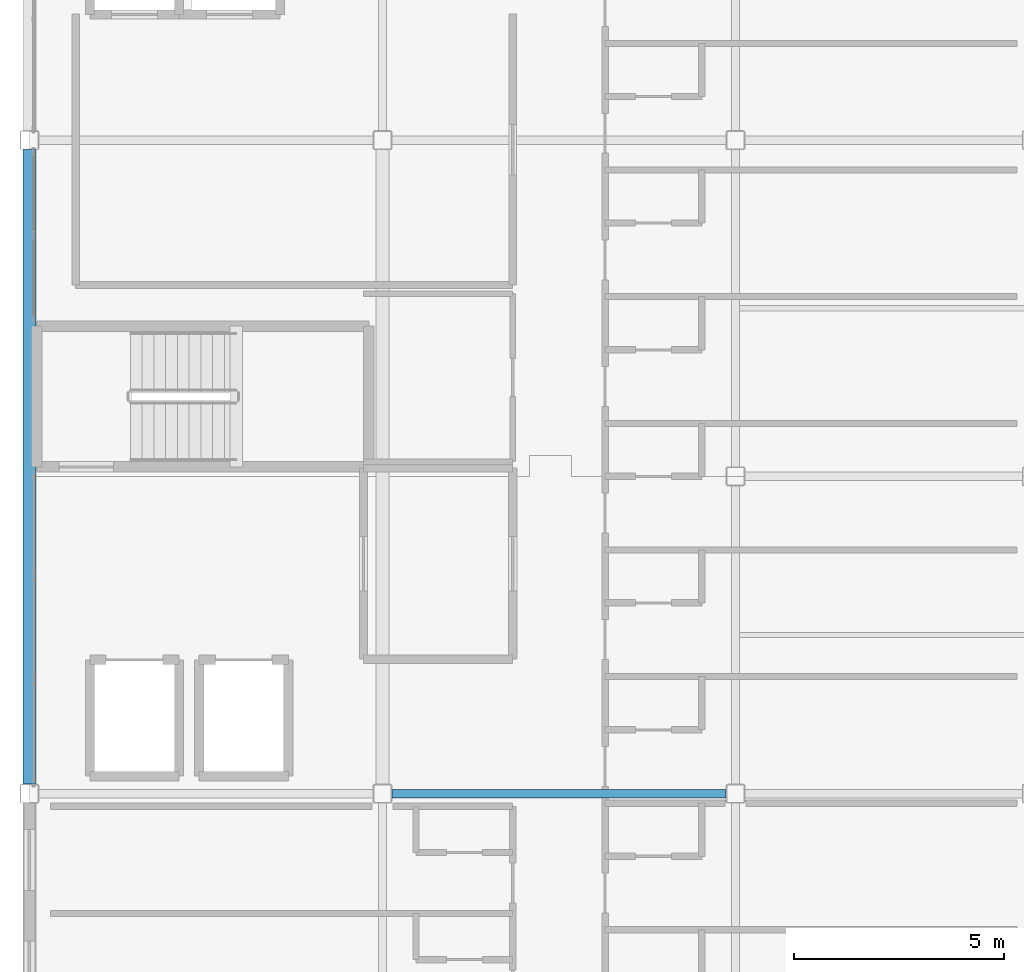
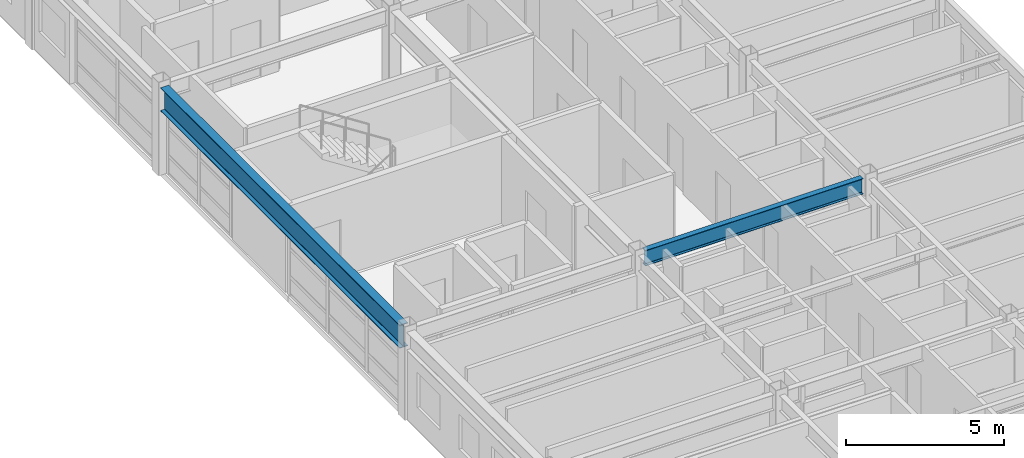
# One storey, part 10 of 28: 2 beams.
"""IFC4 building model written with IfcOpenShell, lengths in metres."""

import ifcopenshell
import ifcopenshell.guid

model = None  # the IFC model being written
_history = None  # IfcOwnerHistory: only IFC2X3 demands one
_inside = {}  # id of a spatial element -> (the spatial element, [elements in it])
_under = {}  # id of a project, library or spatial element -> (it, [spatial elements below it])
_declared = {}  # id of a project -> (the project, [libraries it declares])
_typed = {}  # id of a type object -> (the type object, [elements of that type])
_made_of = {}  # id of a material, layer set ... -> (it, [elements and type objects made of it])


def new_model(schema):
    """Start an empty IFC model of exactly this schema.

    Asked for "IFC4X3", IfcOpenShell would pick the latest addendum, in which some entities
    have other attributes; the version numbers below select the first issue.
    IFC2X3 requires an IfcOwnerHistory on every rooted entity: one is made here for all.
    """
    global model, _history
    if schema == "IFC4X3":
        model = ifcopenshell.file(schema_version=(4, 3, 0, 0))
    else:
        model = ifcopenshell.file(schema=schema)
    _inside.clear()
    _under.clear()
    _declared.clear()
    _typed.clear()
    _made_of.clear()
    _history = None
    if model.schema == "IFC2X3":
        org = make("IfcOrganization", Name="unknown")
        user = make(
            "IfcPersonAndOrganization",
            ThePerson=make("IfcPerson", FamilyName="unknown"),
            TheOrganization=org,
        )
        app = make(
            "IfcApplication",
            ApplicationDeveloper=org,
            Version="unknown",
            ApplicationFullName="unknown",
            ApplicationIdentifier="unknown",
        )
        _history = make(
            "IfcOwnerHistory",
            OwningUser=user,
            OwningApplication=app,
            ChangeAction="ADDED",
            CreationDate=0,
        )
    return model


def make(cls, **values):
    """One entity of the class cls with the attributes given. An attribute that is None is left unset."""
    return model.create_entity(
        cls, **{name: value for name, value in values.items() if value is not None}
    )


def rooted(cls, **values):
    """An entity with a GlobalId (a new one), such as an element, a storey or a relation."""
    return make(cls, GlobalId=ifcopenshell.guid.new(), OwnerHistory=_history, **values)


def si_unit(unit_type, name, prefix=None):
    """IfcSIUnit, for example si_unit("LENGTHUNIT", "METRE", prefix="MILLI")."""
    return make("IfcSIUnit", UnitType=unit_type, Prefix=prefix, Name=name)


def assignment(units):
    """IfcUnitAssignment: the units of a project."""
    return None if units is None else make("IfcUnitAssignment", Units=units)


def point(xyz):
    """IfcCartesianPoint."""
    return None if xyz is None else make("IfcCartesianPoint", Coordinates=xyz)


def direction(xyz):
    """IfcDirection."""
    return None if xyz is None else make("IfcDirection", DirectionRatios=xyz)


def frame(location, z_axis=None, x_axis=None):
    """IfcAxis2Placement3D, a coordinate frame: its origin and axes. An axis left out is left unset."""
    return make(
        "IfcAxis2Placement3D",
        Location=point(location),
        Axis=direction(z_axis),
        RefDirection=direction(x_axis),
    )


def frame_2d(location, x_axis=None):
    """IfcAxis2Placement2D, a coordinate frame in the plane: its origin and x axis."""
    return make(
        "IfcAxis2Placement2D", Location=point(location), RefDirection=direction(x_axis)
    )


def origin():
    """The frame at (0, 0, 0) with its axes left unset."""
    return frame((0.0, 0.0, 0.0))


def origin_2d():
    """The frame at (0, 0) in the plane with its x axis left unset."""
    return frame_2d((0.0, 0.0))


def place(relative_to, where):
    """IfcLocalPlacement: puts the frame where relative to a parent placement (None: the world)."""
    return make(
        "IfcLocalPlacement", PlacementRelTo=relative_to, RelativePlacement=where
    )


def context(
    kind, dimensions, precision=None, world=None, true_north=None, identifier=None
):
    """IfcGeometricRepresentationContext, for example the 3D "Model" context."""
    return make(
        "IfcGeometricRepresentationContext",
        ContextIdentifier=identifier,
        ContextType=kind,
        CoordinateSpaceDimension=dimensions,
        Precision=precision,
        WorldCoordinateSystem=world,
        TrueNorth=true_north,
    )


def subcontext(parent, identifier, kind, view, scale=None):
    """IfcGeometricRepresentationSubContext, for example "Body" below "Model"."""
    return make(
        "IfcGeometricRepresentationSubContext",
        ContextIdentifier=identifier,
        ContextType=kind,
        ParentContext=parent,
        TargetScale=scale,
        TargetView=view,
    )


def project(units=None, contexts=None):
    """IfcProject with its units and contexts."""
    return rooted(
        "IfcProject",
        Name="project",
        RepresentationContexts=contexts,
        UnitsInContext=assignment(units),
    )


def spatial(cls, under=None, at=None, **own):
    """A site, building, storey or space (cls), placed at a placement, below another one or the project."""
    s = rooted(cls, ObjectPlacement=at, **own)
    if under is not None:
        _under.setdefault(under.id(), (under, []))[1].append(s)
    return s


def profile(cls, at=None, kind="AREA", **sizes):
    """A parametric profile (cls). Its sizes go by their IFC names, for example OverallWidth=200.0."""
    return make(cls, ProfileType=kind, Position=at, **sizes)


def i_section(**sizes):
    """IfcIShapeProfileDef."""
    return profile("IfcIShapeProfileDef", **sizes)


def extrude(swept, where, along, depth):
    """IfcExtrudedAreaSolid: the profile swept, set in the frame where, extruded along a direction by depth."""
    return make(
        "IfcExtrudedAreaSolid",
        SweptArea=swept,
        Position=where,
        ExtrudedDirection=direction(along),
        Depth=depth,
    )


def shape(context_of_items, identifier, shape_type, items):
    """IfcShapeRepresentation: the items that make up one representation, for example the "Body"."""
    return make(
        "IfcShapeRepresentation",
        ContextOfItems=context_of_items,
        RepresentationIdentifier=identifier,
        RepresentationType=shape_type,
        Items=items,
    )


def material(Name=None, Category=None):
    """IfcMaterial."""
    return make("IfcMaterial", Name=Name, Category=Category)


def material_profile(
    of_material, cross_section, Name=None, Category=None, Priority=None
):
    """IfcMaterialProfile: a cross section and its material."""
    return make(
        "IfcMaterialProfile",
        Name=Name,
        Material=of_material,
        Profile=cross_section,
        Priority=Priority,
        Category=Category,
    )


def profile_set(profiles, Name=None, composite=None):
    """IfcMaterialProfileSet."""
    return make(
        "IfcMaterialProfileSet",
        Name=Name,
        MaterialProfiles=profiles,
        CompositeProfile=composite,
    )


def made_of(thing, what):
    """Note that an element or type object is made of a material, layer set ...; save() writes the relation."""
    if what is not None:
        _made_of.setdefault(what.id(), (what, []))[1].append(thing)
    return thing


def type_object(cls, material=None, **own):
    """A type object (cls), such as IfcWallType, which elements share."""
    return made_of(rooted(cls, **own), material)


def element(
    cls,
    number,
    at=None,
    inside=None,
    cuts=None,
    type_object=None,
    material=None,
    context=None,
    identifier="Body",
    shape_type=None,
    held_by="IfcProductDefinitionShape",
    body=None,
    shapes=None,
    **own,
):
    """One element of the class cls, such as IfcWall. Its Tag is "e" and its number.

    at: its placement. inside: the storey or other place that contains it. cuts: it is an
    opening in that element (IfcRelVoidsElement). A single representation is given by context,
    identifier, shape_type and body (its items); several are given by shapes. held_by: the class
    of the entity that holds the representations. save() writes the other relations.
    """
    e = rooted(cls, Tag="e%d" % number, ObjectPlacement=at, **own)
    if body is not None:
        shapes = [shape(context, identifier, shape_type, body)]
    if shapes is not None:
        e.Representation = make(held_by, Representations=shapes)
    if inside is not None:
        _inside.setdefault(inside.id(), (inside, []))[1].append(e)
    if cuts is not None:
        rooted(
            "IfcRelVoidsElement", RelatingBuildingElement=cuts, RelatedOpeningElement=e
        )
    if type_object is not None:
        _typed.setdefault(type_object.id(), (type_object, []))[1].append(e)
    return made_of(e, material)


def aggregate(whole, parts):
    """IfcRelAggregates: a whole, such as a stair, and the parts it consists of."""
    return rooted("IfcRelAggregates", RelatingObject=whole, RelatedObjects=parts)


def save(model, path):
    """Write the relations noted so far, then the file.

    IfcRelAggregates (storeys below a building ...), IfcRelContainedInSpatialStructure (elements
    in a storey), IfcRelDefinesByType, IfcRelAssociatesMaterial and IfcRelDeclares: one each for
    every whole, place, type object, material and project.
    """
    for whole, parts in _under.values():
        aggregate(whole, parts)
    for where, things in _inside.values():
        rooted(
            "IfcRelContainedInSpatialStructure",
            RelatedElements=things,
            RelatingStructure=where,
        )
    for kind, things in _typed.values():
        rooted("IfcRelDefinesByType", RelatedObjects=things, RelatingType=kind)
    for what, things in _made_of.values():
        rooted("IfcRelAssociatesMaterial", RelatedObjects=things, RelatingMaterial=what)
    for by, libraries in _declared.values():
        rooted("IfcRelDeclares", RelatingContext=by, RelatedDefinitions=libraries)
    model.write(path)


model = new_model("IFC4")

# Units and contexts
model_context = context("Model", 3, precision=1e-05, world=origin(), true_north=direction((0.0, 1.0)))
body_context = subcontext(model_context, "Body", "Model", "MODEL_VIEW")
ifc_project = project(units=[si_unit("LENGTHUNIT", "METRE"), si_unit("AREAUNIT", "SQUARE_METRE"), si_unit("VOLUMEUNIT", "CUBIC_METRE"), si_unit("PLANEANGLEUNIT", "RADIAN"), si_unit("MASSUNIT", "GRAM", prefix="KILO")], contexts=[model_context])

# Site, building, storey
site_placement = place(None, origin())
site = spatial("IfcSite", under=ifc_project, at=site_placement, CompositionType="ELEMENT")
building_placement = place(site_placement, origin())
building = spatial("IfcBuilding", under=site, at=building_placement, Name="Kazehara Bluff Congress Hotel", CompositionType="ELEMENT")
storey_placement = place(building_placement, frame((0.0, 0.0, 42.60009765625)))
storey = spatial("IfcBuildingStorey", under=building, at=storey_placement, Name="L10", CompositionType="ELEMENT", Elevation=42.60009765625)

# Beams
ifc_material_1 = material(Name="Steel SN490B", Category="steel")
ifc_material_profile_1 = material_profile(ifc_material_1, i_section(OverallWidth=0.199951171875, OverallDepth=0.60009765625, WebThickness=0.010986328125, FlangeThickness=0.01708984375, FilletRadius=0.012939453125, at=origin_2d()))
ifc_profile_set_1 = profile_set([ifc_material_profile_1], Name="Steel SN490B")
beam_type_1 = type_object("IfcBeamType", Name="TP-G-02", PredefinedType="BEAM", material=ifc_profile_set_1)
beam_1_placement = place(storey_placement, frame((152.324951171875, 40.89990234375, 3.079833984375), z_axis=(1.0, 0.0, 0.0), x_axis=(0.0, 1.0, 0.0)))
element("IfcBeam", 1, at=beam_1_placement, inside=storey, type_object=beam_type_1, Name="L10 girder G-02 35", PredefinedType="BEAM", context=body_context, shape_type="SweptSolid", body=[
    extrude(i_section(OverallWidth=0.199951171875, OverallDepth=0.60009765625, WebThickness=0.010986328125, FlangeThickness=0.01708984375, FilletRadius=0.012939453125, at=origin_2d()), origin(), (0.0, 0.0, 1.0), 7.949951171875),
])
ifc_material_2 = material(Name="Steel SN490B", Category="steel")
ifc_material_profile_2 = material_profile(ifc_material_2, i_section(OverallWidth=0.300048828125, OverallDepth=0.89990234375, WebThickness=0.01611328125, FlangeThickness=0.028076171875, FilletRadius=0.01806640625, at=origin_2d()))
ifc_profile_set_2 = profile_set([ifc_material_profile_2], Name="Steel SN490B")
beam_type_2 = type_object("IfcBeamType", Name="TP-G-08", PredefinedType="BEAM", material=ifc_profile_set_2)
beam_2_placement = place(storey_placement, frame((143.699951171875, 41.125, 2.929931640625), z_axis=(0.0, 1.0, 0.0), x_axis=(-1.0, 0.0, 0.0)))
element("IfcBeam", 2, at=beam_2_placement, inside=storey, type_object=beam_type_2, Name="L10 girder G-08 4", PredefinedType="BEAM", context=body_context, shape_type="SweptSolid", body=[
    extrude(i_section(OverallWidth=0.300048828125, OverallDepth=0.89990234375, WebThickness=0.01611328125, FlangeThickness=0.028076171875, FilletRadius=0.01806640625, at=origin_2d()), origin(), (0.0, 0.0, 1.0), 15.10009765625),
])

save(model, "model.ifc")
